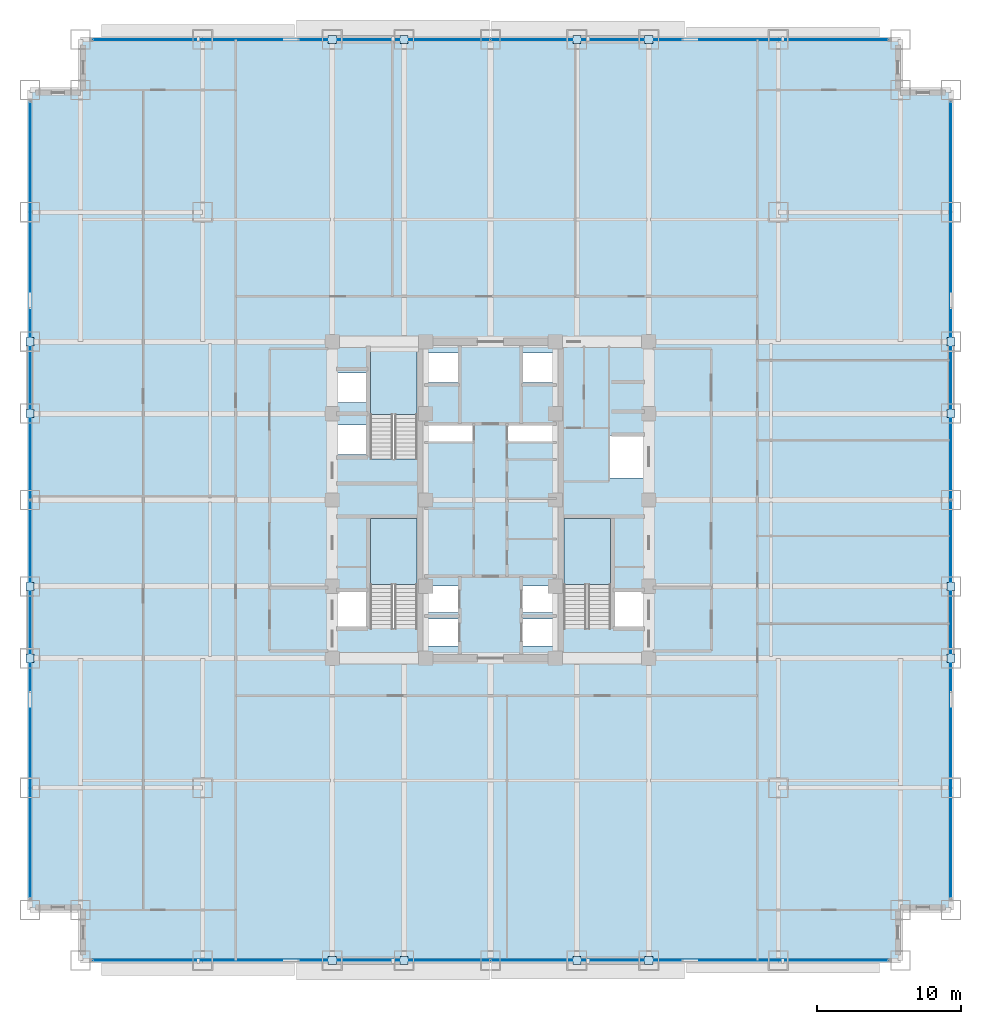
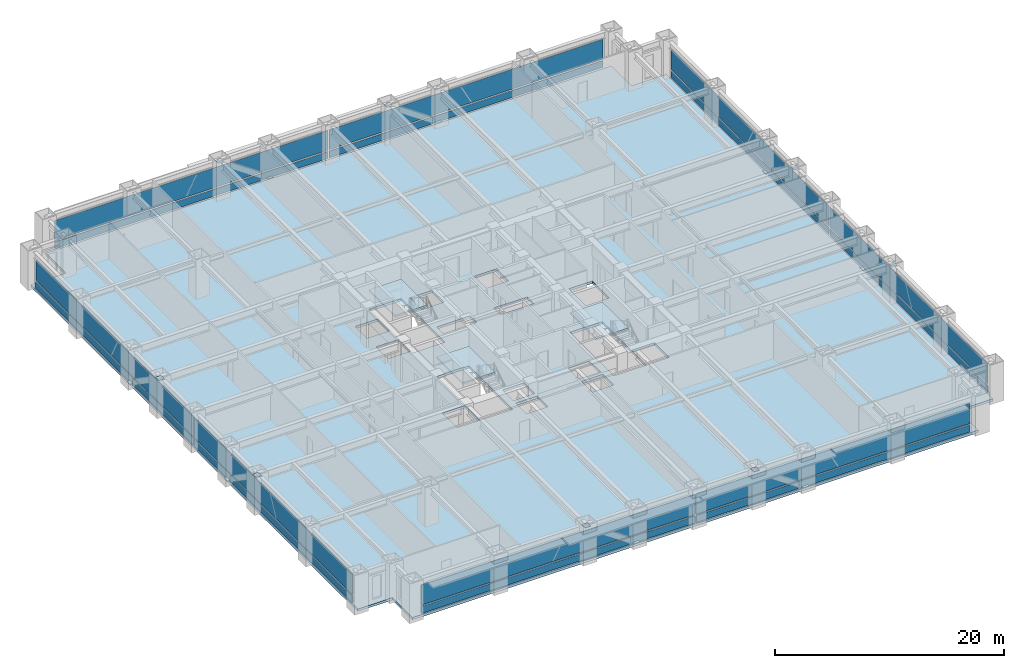
# One storey, part 22 of 32: 32 plates, 4 slabs, 7 elements without a shape of their own.
"""IFC4 building model written with IfcOpenShell, lengths in metres."""

from ifc_helpers import new_model, si_unit, direction, frame, origin, origin_2d, place, context, subcontext, project, spatial, polyline, rectangle, outline, extrude, source, transform, mapped, material, layer, layer_set, type_object, element, aggregate, save


model = new_model("IFC4")

# Units and contexts
model_context = context("Model", 3, precision=1e-05, world=origin(), true_north=direction((0.0, 1.0)))
body_context = subcontext(model_context, "Body", "Model", "MODEL_VIEW")
ifc_project = project(units=[si_unit("LENGTHUNIT", "METRE"), si_unit("AREAUNIT", "SQUARE_METRE"), si_unit("VOLUMEUNIT", "CUBIC_METRE"), si_unit("PLANEANGLEUNIT", "RADIAN"), si_unit("MASSUNIT", "GRAM", prefix="KILO")], contexts=[model_context])

# Site, building, storey
site_placement = place(None, origin())
site = spatial("IfcSite", under=ifc_project, at=site_placement, CompositionType="ELEMENT")
building_placement = place(site_placement, origin())
building = spatial("IfcBuilding", under=site, at=building_placement, Name="Khorayat Bourse Tower", CompositionType="ELEMENT")
storey_placement = place(building_placement, frame((0.0, 0.0, 74.60009765625)))
storey = spatial("IfcBuildingStorey", under=building, at=storey_placement, Name="L16", CompositionType="ELEMENT", Elevation=74.60009765625)

# Stair, slab
ifc_material_1 = material(Name="Concrete C40/50", Category="concrete")
stair_type = type_object("IfcStairType", Name="STR-CORE-1550", PredefinedType="HALF_TURN_STAIR", material=ifc_material_1)
stair_1_placement = place(storey_placement, origin())
stair_1 = element("IfcStair", 1, at=stair_1_placement, inside=storey, type_object=stair_type, Name="L16 Exit Stair ST-1", PredefinedType="HALF_TURN_STAIR")
ifc_layer_1 = layer(ifc_material_1, 0.199951171875)
ifc_layer_set_1 = layer_set([ifc_layer_1], Name="Concrete C40/50")
slab_type_1 = type_object("IfcSlabType", Name="SLB-LANDING-200", PredefinedType="LANDING", material=ifc_layer_set_1)
slab_1_placement = place(storey_placement, frame((0.0, 0.0, 1.89990234375)))
slab_1 = element("IfcSlab", 2, at=slab_1_placement, type_object=slab_type_1, Name="ST-1 landing 1", PredefinedType="LANDING", context=body_context, shape_type="SweptSolid", body=[
    extrude(outline(polyline([(-5.10009765625, -5.8701171875), (-5.10009765625, -1.300048828125), (-8.35009765625, -1.300048828125), (-8.35009765625, -5.8701171875), (-5.10009765625, -5.8701171875)])), origin(), (0.0, 0.0, 1.0), 0.199951171875),
])
aggregate(stair_1, [slab_1])

stair_2_placement = place(storey_placement, origin())
stair_2 = element("IfcStair", 3, at=stair_2_placement, inside=storey, type_object=stair_type, Name="L16 Exit Stair ST-2", PredefinedType="HALF_TURN_STAIR")
slab_2_placement = place(storey_placement, frame((0.0, 0.0, 1.89990234375)))
slab_2 = element("IfcSlab", 4, at=slab_2_placement, type_object=slab_type_1, Name="ST-2 landing 1", PredefinedType="LANDING", context=body_context, shape_type="SweptSolid", body=[
    extrude(outline(polyline([(-5.10009765625, 5.929931640625), (-5.10009765625, 10.5), (-8.35009765625, 10.5), (-8.35009765625, 5.929931640625), (-5.10009765625, 5.929931640625)])), origin(), (0.0, 0.0, 1.0), 0.199951171875),
])
aggregate(stair_2, [slab_2])

stair_3_placement = place(storey_placement, origin())
stair_3 = element("IfcStair", 5, at=stair_3_placement, inside=storey, type_object=stair_type, Name="L16 Exit Stair ST-3", PredefinedType="HALF_TURN_STAIR")
slab_3_placement = place(storey_placement, frame((0.0, 0.0, 1.89990234375)))
slab_3 = element("IfcSlab", 6, at=slab_3_placement, type_object=slab_type_1, Name="ST-3 landing 1", PredefinedType="LANDING", context=body_context, shape_type="SweptSolid", body=[
    extrude(outline(polyline([(8.35009765625, -5.8701171875), (8.35009765625, -1.300048828125), (5.10009765625, -1.300048828125), (5.10009765625, -5.8701171875), (8.35009765625, -5.8701171875)])), origin(), (0.0, 0.0, 1.0), 0.199951171875),
])
aggregate(stair_3, [slab_3])

# Slab
ifc_layer_2 = layer(ifc_material_1, 0.260009765625)
ifc_layer_set_2 = layer_set([ifc_layer_2], Name="Concrete C40/50")
slab_type_2 = type_object("IfcSlabType", Name="SLB-TRADE-260", PredefinedType="FLOOR", material=ifc_layer_set_2)
slab_4_placement = place(storey_placement, frame((0.0, 0.0, -0.260009765625)))
element("IfcSlab", 7, at=slab_4_placement, inside=storey, type_object=slab_type_2, Name="L16 Main Floor Slab", PredefinedType="FLOOR", context=body_context, shape_type="SweptSolid", body=[
    extrude(outline(polyline([(-28.5, -32.0), (28.5, -32.0), (28.5, -28.5), (32.0, -28.5), (32.0, 28.5), (28.5, 28.5), (28.5, 32.0), (-28.5, 32.0), (-28.5, 28.5), (-32.0, 28.5), (-32.0, -28.5), (-28.5, -28.5), (-28.5, -32.0)]), holes=[polyline([(-8.35009765625, -8.945068359375), (-5.10009765625, -8.945068359375), (-5.10009765625, -1.300048828125), (-8.35009765625, -1.300048828125), (-8.35009765625, -8.945068359375)]), polyline([(-8.35009765625, 2.85498046875), (-5.10009765625, 2.85498046875), (-5.10009765625, 10.5), (-8.35009765625, 10.5), (-8.35009765625, 2.85498046875)]), polyline([(5.10009765625, -8.945068359375), (8.35009765625, -8.945068359375), (8.35009765625, -1.300048828125), (5.10009765625, -1.300048828125), (5.10009765625, -8.945068359375)]), polyline([(-4.3798828125, -10.1298828125), (-2.219970703125, -10.1298828125), (-2.219970703125, -8.27001953125), (-4.3798828125, -8.27001953125), (-4.3798828125, -10.1298828125)]), polyline([(2.219970703125, -10.1298828125), (4.3798828125, -10.1298828125), (4.3798828125, -8.27001953125), (2.219970703125, -8.27001953125), (2.219970703125, -10.1298828125)]), polyline([(-4.3798828125, -7.830078125), (-2.219970703125, -7.830078125), (-2.219970703125, -5.969970703125), (-4.3798828125, -5.969970703125), (-4.3798828125, -7.830078125)]), polyline([(2.219970703125, -7.830078125), (4.3798828125, -7.830078125), (4.3798828125, -5.969970703125), (2.219970703125, -5.969970703125), (2.219970703125, -7.830078125)]), polyline([(-4.3798828125, 8.169921875), (-2.1201171875, 8.169921875), (-2.1201171875, 10.22998046875), (-4.3798828125, 10.22998046875), (-4.3798828125, 8.169921875)]), polyline([(2.1201171875, 8.169921875), (4.3798828125, 8.169921875), (4.3798828125, 10.22998046875), (2.1201171875, 10.22998046875), (2.1201171875, 8.169921875)]), polyline([(-10.679931640625, 3.169921875), (-8.419921875, 3.169921875), (-8.419921875, 5.22998046875), (-10.679931640625, 5.22998046875), (-10.679931640625, 3.169921875)]), polyline([(-10.679931640625, 6.77001953125), (-8.419921875, 6.77001953125), (-8.419921875, 8.830078125), (-10.679931640625, 8.830078125), (-10.679931640625, 6.77001953125)]), polyline([(-10.679931640625, -8.929931640625), (-8.419921875, -8.929931640625), (-8.419921875, -6.3701171875), (-10.679931640625, -6.3701171875), (-10.679931640625, -8.929931640625)]), polyline([(8.419921875, -8.929931640625), (10.679931640625, -8.929931640625), (10.679931640625, -6.3701171875), (8.419921875, -6.3701171875), (8.419921875, -8.929931640625)]), polyline([(8.320068359375, 1.52001953125), (10.679931640625, 1.52001953125), (10.679931640625, 4.47998046875), (8.320068359375, 4.47998046875), (8.320068359375, 1.52001953125)]), polyline([(-4.56005859375, 4.080078125), (-1.18994140625, 4.080078125), (-1.18994140625, 5.219970703125), (-4.56005859375, 5.219970703125), (-4.56005859375, 4.080078125)]), polyline([(1.18994140625, 4.080078125), (4.56005859375, 4.080078125), (4.56005859375, 5.219970703125), (1.18994140625, 5.219970703125), (1.18994140625, 4.080078125)])]), origin(), (0.0, 0.0, 1.0), 0.260009765625),
])

# Plates
ifc_material_2 = material(Name="Steel EN 10025-2 S355J2", Category="steel")
ifc_layer_3 = layer(ifc_material_2, 0.02490234375)
ifc_layer_set_3 = layer_set([ifc_layer_3], Name="Steel EN 10025-2 S355J2")
plate_type_1 = type_object("IfcPlateType", Name="PLT-ENDCAP-25", PredefinedType="SHEET", material=ifc_layer_set_3)
shared_shape_1 = source(origin(), body_context, "Body", "SweptSolid", [
    extrude(rectangle(XDim=0.56005859375, YDim=0.56005859375, at=origin_2d()), origin(), (0.0, 0.0, 1.0), 0.02490234375),
])
for number, where, z_axis, x_axis, name in (
    (8, (-11.0, -32.0, 3.677490234375), (0.0, 0.0, 1.0), (1.0, 0.0, 0.0), "L16 Perimeter Brace End Plate 001"),
    (9, (-6.0, -32.0, 0.237548828125), (0.0, 0.0, 1.0), (1.0, 0.0, 0.0), "L16 Perimeter Brace End Plate 002"),
    (10, (6.0, -32.0, 3.677490234375), (0.0, 0.0, 1.0), (1.0, 0.0, 0.0), "L16 Perimeter Brace End Plate 003"),
    (11, (11.0, -32.0, 0.237548828125), (0.0, 0.0, 1.0), (1.0, 0.0, 0.0), "L16 Perimeter Brace End Plate 004"),
    (12, (-11.0, 32.0, 3.677490234375), (0.0, 0.0, 1.0), (1.0, 0.0, 0.0), "L16 Perimeter Brace End Plate 005"),
    (13, (-6.0, 32.0, 0.237548828125), (0.0, 0.0, 1.0), (1.0, 0.0, 0.0), "L16 Perimeter Brace End Plate 006"),
    (14, (6.0, 32.0, 3.677490234375), (0.0, 0.0, 1.0), (1.0, 0.0, 0.0), "L16 Perimeter Brace End Plate 007"),
    (15, (11.0, 32.0, 0.237548828125), (0.0, 0.0, 1.0), (1.0, 0.0, 0.0), "L16 Perimeter Brace End Plate 008"),
    (16, (-32.0, -11.0, 3.677490234375), (0.0, 0.0, 1.0), (1.0, 0.0, 0.0), "L16 Perimeter Brace End Plate 009"),
    (17, (-32.0, -6.0, 0.237548828125), (0.0, 0.0, 1.0), (1.0, 0.0, 0.0), "L16 Perimeter Brace End Plate 010"),
    (18, (-32.0, 6.0, 3.677490234375), (0.0, 0.0, 1.0), (1.0, 0.0, 0.0), "L16 Perimeter Brace End Plate 011"),
    (19, (-32.0, 11.0, 0.237548828125), (0.0, 0.0, 1.0), (1.0, 0.0, 0.0), "L16 Perimeter Brace End Plate 012"),
    (20, (32.0, -11.0, 3.677490234375), (0.0, 0.0, 1.0), (1.0, 0.0, 0.0), "L16 Perimeter Brace End Plate 013"),
    (21, (32.0, -6.0, 0.237548828125), (0.0, 0.0, 1.0), (1.0, 0.0, 0.0), "L16 Perimeter Brace End Plate 014"),
    (22, (32.0, 6.0, 3.677490234375), (0.0, 0.0, 1.0), (1.0, 0.0, 0.0), "L16 Perimeter Brace End Plate 015"),
    (23, (32.0, 11.0, 0.237548828125), (0.0, 0.0, 1.0), (1.0, 0.0, 0.0), "L16 Perimeter Brace End Plate 016"),
):
    element("IfcPlate", number, at=place(storey_placement, frame(where, z_axis=z_axis, x_axis=x_axis)), inside=storey, type_object=plate_type_1, Name=name, PredefinedType="SHEET", context=body_context, shape_type="MappedRepresentation", body=[
        mapped(shared_shape_1, transform((0.0, 0.0, 0.0), scale=1.0)),
    ])

# Curtain wall, plates
ifc_material_3 = material(Name="Aluminium EN AW-6063 T6", Category="aluminium")
curtain_wall_type = type_object("IfcCurtainWallType", Name="CW-SYS-02", PredefinedType="NOTDEFINED", material=ifc_material_3)
curtain_wall_1_placement = place(storey_placement, origin())
curtain_wall_1 = element("IfcCurtainWall", 24, at=curtain_wall_1_placement, inside=storey, type_object=curtain_wall_type, Name="L16 Curtain Wall CW-L16-S1", PredefinedType="NOTDEFINED")
ifc_material_4 = material(Name="Honed desert limestone insulated spandrel", Category="masonry")
ifc_layer_4 = layer(ifc_material_4, 0.06494140625)
ifc_layer_set_4 = layer_set([ifc_layer_4], Name="Honed desert limestone insulated spandrel")
plate_type_2 = type_object("IfcPlateType", Name="CWP-SPAND-03", PredefinedType="CURTAIN_PANEL", material=ifc_layer_set_4)
shared_shape_2 = source(origin(), body_context, "Body", "SweptSolid", [
    extrude(rectangle(XDim=27.5400390625, YDim=0.06494140625, at=origin_2d()), origin(), (0.0, 0.0, 1.0), 0.739990234375),
])
plate_1_placement = place(storey_placement, frame((-13.840087890625, -32.0, 0.14013671875), z_axis=(0.0, 0.0, 1.0), x_axis=(1.0, 0.0, 0.0)))
plate_1 = element("IfcPlate", 25, at=plate_1_placement, type_object=plate_type_2, Name="CW-L16-S1 Spandrel Panel 1-1", PredefinedType="CURTAIN_PANEL", context=body_context, shape_type="MappedRepresentation", body=[
    mapped(shared_shape_2, transform((0.0, 0.0, 0.0), scale=1.0)),
])
plate_2_placement = place(storey_placement, frame((13.840087890625, -32.0, 0.14013671875), z_axis=(0.0, 0.0, 1.0), x_axis=(1.0, 0.0, 0.0)))
plate_2 = element("IfcPlate", 26, at=plate_2_placement, type_object=plate_type_2, Name="CW-L16-S1 Spandrel Panel 2-1", PredefinedType="CURTAIN_PANEL", context=body_context, shape_type="MappedRepresentation", body=[
    mapped(shared_shape_2, transform((0.0, 0.0, 0.0), scale=1.0)),
])

curtain_wall_2_placement = place(storey_placement, origin())
curtain_wall_2 = element("IfcCurtainWall", 27, at=curtain_wall_2_placement, inside=storey, type_object=curtain_wall_type, Name="L16 Curtain Wall CW-L16-N1", PredefinedType="NOTDEFINED")
plate_3_placement = place(storey_placement, frame((-13.840087890625, 32.0, 0.14013671875), z_axis=(0.0, 0.0, 1.0), x_axis=(1.0, 0.0, 0.0)))
plate_3 = element("IfcPlate", 28, at=plate_3_placement, type_object=plate_type_2, Name="CW-L16-N1 Spandrel Panel 1-1", PredefinedType="CURTAIN_PANEL", context=body_context, shape_type="MappedRepresentation", body=[
    mapped(shared_shape_2, transform((0.0, 0.0, 0.0), scale=1.0)),
])
plate_4_placement = place(storey_placement, frame((13.840087890625, 32.0, 0.14013671875), z_axis=(0.0, 0.0, 1.0), x_axis=(1.0, 0.0, 0.0)))
plate_4 = element("IfcPlate", 29, at=plate_4_placement, type_object=plate_type_2, Name="CW-L16-N1 Spandrel Panel 2-1", PredefinedType="CURTAIN_PANEL", context=body_context, shape_type="MappedRepresentation", body=[
    mapped(shared_shape_2, transform((0.0, 0.0, 0.0), scale=1.0)),
])

curtain_wall_3_placement = place(storey_placement, origin())
curtain_wall_3 = element("IfcCurtainWall", 30, at=curtain_wall_3_placement, inside=storey, type_object=curtain_wall_type, Name="L16 Curtain Wall CW-L16-W1", PredefinedType="NOTDEFINED")
plate_5_placement = place(storey_placement, frame((-32.0, -13.840087890625, 0.14013671875), z_axis=(0.0, 0.0, 1.0), x_axis=(0.0, 1.0, 0.0)))
plate_5 = element("IfcPlate", 31, at=plate_5_placement, type_object=plate_type_2, Name="CW-L16-W1 Spandrel Panel 1-1", PredefinedType="CURTAIN_PANEL", context=body_context, shape_type="MappedRepresentation", body=[
    mapped(shared_shape_2, transform((0.0, 0.0, 0.0), scale=1.0)),
])
plate_6_placement = place(storey_placement, frame((-32.0, 13.840087890625, 0.14013671875), z_axis=(0.0, 0.0, 1.0), x_axis=(0.0, 1.0, 0.0)))
plate_6 = element("IfcPlate", 32, at=plate_6_placement, type_object=plate_type_2, Name="CW-L16-W1 Spandrel Panel 2-1", PredefinedType="CURTAIN_PANEL", context=body_context, shape_type="MappedRepresentation", body=[
    mapped(shared_shape_2, transform((0.0, 0.0, 0.0), scale=1.0)),
])

curtain_wall_4_placement = place(storey_placement, origin())
curtain_wall_4 = element("IfcCurtainWall", 33, at=curtain_wall_4_placement, inside=storey, type_object=curtain_wall_type, Name="L16 Curtain Wall CW-L16-E1", PredefinedType="NOTDEFINED")
plate_7_placement = place(storey_placement, frame((32.0, -13.840087890625, 0.14013671875), z_axis=(0.0, 0.0, 1.0), x_axis=(0.0, 1.0, 0.0)))
plate_7 = element("IfcPlate", 34, at=plate_7_placement, type_object=plate_type_2, Name="CW-L16-E1 Spandrel Panel 1-1", PredefinedType="CURTAIN_PANEL", context=body_context, shape_type="MappedRepresentation", body=[
    mapped(shared_shape_2, transform((0.0, 0.0, 0.0), scale=1.0)),
])
plate_8_placement = place(storey_placement, frame((32.0, 13.840087890625, 0.14013671875), z_axis=(0.0, 0.0, 1.0), x_axis=(0.0, 1.0, 0.0)))
plate_8 = element("IfcPlate", 35, at=plate_8_placement, type_object=plate_type_2, Name="CW-L16-E1 Spandrel Panel 2-1", PredefinedType="CURTAIN_PANEL", context=body_context, shape_type="MappedRepresentation", body=[
    mapped(shared_shape_2, transform((0.0, 0.0, 0.0), scale=1.0)),
])

# Plate
ifc_material_5 = material(Name="Low-E solar-control laminated double glazing", Category="glass")
ifc_layer_5 = layer(ifc_material_5, 0.0419921875)
ifc_layer_set_5 = layer_set([ifc_layer_5], Name="Low-E solar-control laminated double glazing")
plate_type_3 = type_object("IfcPlateType", Name="CWP-FACET-02", PredefinedType="CURTAIN_PANEL", material=ifc_layer_set_5)
shared_shape_3 = source(origin(), body_context, "Body", "SweptSolid", [
    extrude(rectangle(XDim=27.5400390625, YDim=0.0419921875, at=origin_2d()), origin(), (0.0, 0.0, 1.0), 2.1298828125),
])
plate_9_placement = place(storey_placement, frame((-13.840087890625, -32.0, 1.02001953125), z_axis=(0.0, 0.0, 1.0), x_axis=(1.0, 0.0, 0.0)))
plate_9 = element("IfcPlate", 36, at=plate_9_placement, type_object=plate_type_3, Name="CW-L16-S1 Vision Panel 1-2", PredefinedType="CURTAIN_PANEL", context=body_context, shape_type="MappedRepresentation", body=[
    mapped(shared_shape_3, transform((0.0, 0.0, 0.0), scale=1.0)),
])

plate_10_placement = place(storey_placement, frame((13.840087890625, -32.0, 1.02001953125), z_axis=(0.0, 0.0, 1.0), x_axis=(1.0, 0.0, 0.0)))
plate_10 = element("IfcPlate", 37, at=plate_10_placement, type_object=plate_type_3, Name="CW-L16-S1 Vision Panel 2-2", PredefinedType="CURTAIN_PANEL", context=body_context, shape_type="MappedRepresentation", body=[
    mapped(shared_shape_3, transform((0.0, 0.0, 0.0), scale=1.0)),
])

aggregate(curtain_wall_1, [plate_1, plate_9, plate_2, plate_10])

plate_11_placement = place(storey_placement, frame((-13.840087890625, 32.0, 1.02001953125), z_axis=(0.0, 0.0, 1.0), x_axis=(1.0, 0.0, 0.0)))
plate_11 = element("IfcPlate", 38, at=plate_11_placement, type_object=plate_type_3, Name="CW-L16-N1 Vision Panel 1-2", PredefinedType="CURTAIN_PANEL", context=body_context, shape_type="MappedRepresentation", body=[
    mapped(shared_shape_3, transform((0.0, 0.0, 0.0), scale=1.0)),
])

plate_12_placement = place(storey_placement, frame((13.840087890625, 32.0, 1.02001953125), z_axis=(0.0, 0.0, 1.0), x_axis=(1.0, 0.0, 0.0)))
plate_12 = element("IfcPlate", 39, at=plate_12_placement, type_object=plate_type_3, Name="CW-L16-N1 Vision Panel 2-2", PredefinedType="CURTAIN_PANEL", context=body_context, shape_type="MappedRepresentation", body=[
    mapped(shared_shape_3, transform((0.0, 0.0, 0.0), scale=1.0)),
])

aggregate(curtain_wall_2, [plate_3, plate_11, plate_4, plate_12])

plate_13_placement = place(storey_placement, frame((-32.0, -13.840087890625, 1.02001953125), z_axis=(0.0, 0.0, 1.0), x_axis=(0.0, 1.0, 0.0)))
plate_13 = element("IfcPlate", 40, at=plate_13_placement, type_object=plate_type_3, Name="CW-L16-W1 Vision Panel 1-2", PredefinedType="CURTAIN_PANEL", context=body_context, shape_type="MappedRepresentation", body=[
    mapped(shared_shape_3, transform((0.0, 0.0, 0.0), scale=1.0)),
])

plate_14_placement = place(storey_placement, frame((-32.0, 13.840087890625, 1.02001953125), z_axis=(0.0, 0.0, 1.0), x_axis=(0.0, 1.0, 0.0)))
plate_14 = element("IfcPlate", 41, at=plate_14_placement, type_object=plate_type_3, Name="CW-L16-W1 Vision Panel 2-2", PredefinedType="CURTAIN_PANEL", context=body_context, shape_type="MappedRepresentation", body=[
    mapped(shared_shape_3, transform((0.0, 0.0, 0.0), scale=1.0)),
])

aggregate(curtain_wall_3, [plate_5, plate_13, plate_6, plate_14])

plate_15_placement = place(storey_placement, frame((32.0, -13.840087890625, 1.02001953125), z_axis=(0.0, 0.0, 1.0), x_axis=(0.0, 1.0, 0.0)))
plate_15 = element("IfcPlate", 42, at=plate_15_placement, type_object=plate_type_3, Name="CW-L16-E1 Vision Panel 1-2", PredefinedType="CURTAIN_PANEL", context=body_context, shape_type="MappedRepresentation", body=[
    mapped(shared_shape_3, transform((0.0, 0.0, 0.0), scale=1.0)),
])

plate_16_placement = place(storey_placement, frame((32.0, 13.840087890625, 1.02001953125), z_axis=(0.0, 0.0, 1.0), x_axis=(0.0, 1.0, 0.0)))
plate_16 = element("IfcPlate", 43, at=plate_16_placement, type_object=plate_type_3, Name="CW-L16-E1 Vision Panel 2-2", PredefinedType="CURTAIN_PANEL", context=body_context, shape_type="MappedRepresentation", body=[
    mapped(shared_shape_3, transform((0.0, 0.0, 0.0), scale=1.0)),
])

aggregate(curtain_wall_4, [plate_7, plate_15, plate_8, plate_16])

save(model, "model.ifc")
